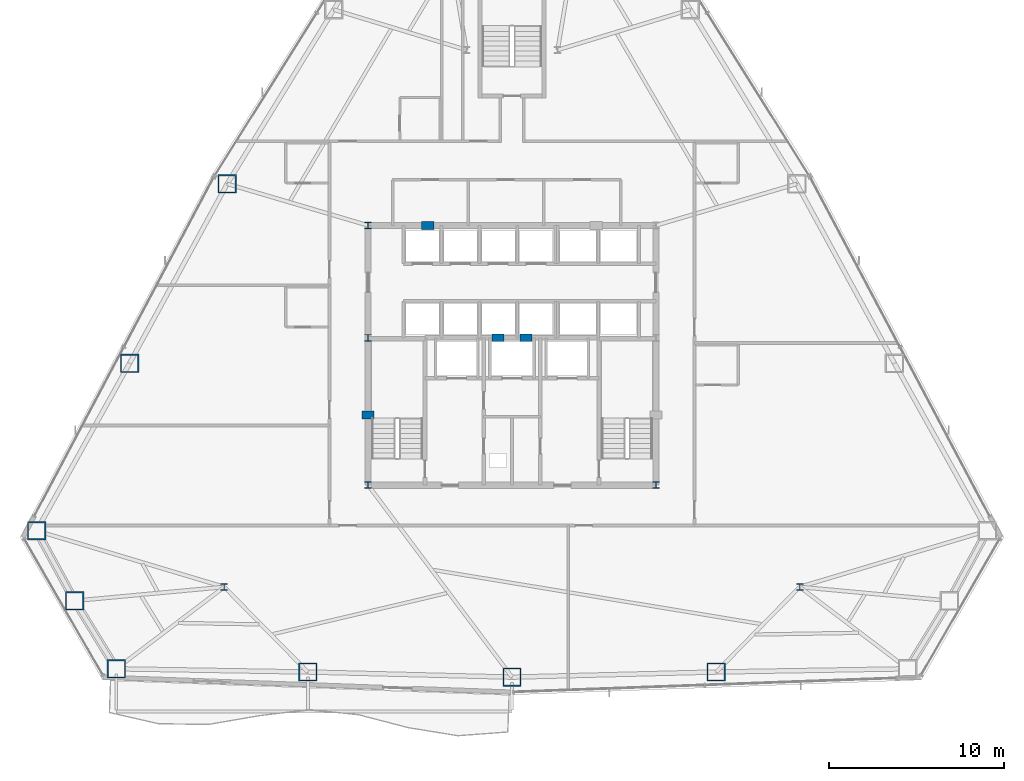
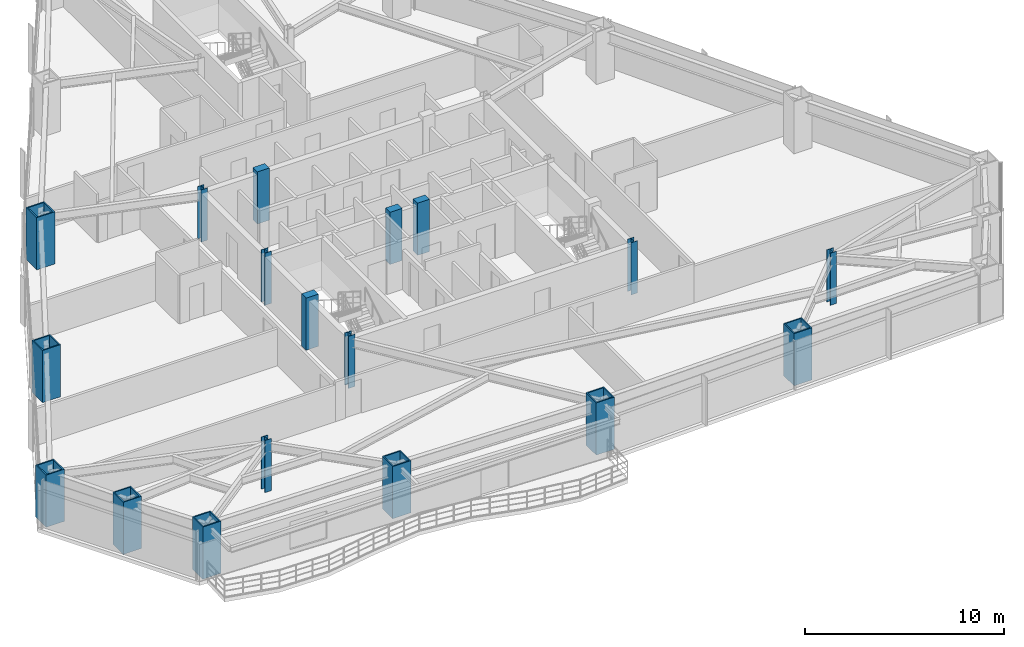
# One storey, part 1 of 13: 18 columns.
"""IFC4 building model written with IfcOpenShell, lengths in metres."""

from ifc_helpers import new_model, si_unit, direction, frame, origin, origin_2d, place, context, subcontext, project, spatial, rectangle, hollow_rectangle, i_section, extrude, material, material_profile, profile_set, type_object, element, save


model = new_model("IFC4")

# Units and contexts
model_context = context("Model", 3, precision=1e-05, world=origin(), true_north=direction((0.0, 1.0)))
body_context = subcontext(model_context, "Body", "Model", "MODEL_VIEW")
ifc_project = project(units=[si_unit("LENGTHUNIT", "METRE"), si_unit("AREAUNIT", "SQUARE_METRE"), si_unit("VOLUMEUNIT", "CUBIC_METRE"), si_unit("PLANEANGLEUNIT", "RADIAN"), si_unit("MASSUNIT", "GRAM", prefix="KILO")], contexts=[model_context])

# Site, building, storey
site_placement = place(None, origin())
site = spatial("IfcSite", under=ifc_project, at=site_placement, CompositionType="ELEMENT")
building_placement = place(site_placement, origin())
building = spatial("IfcBuilding", under=site, at=building_placement, Name="Varakhsha Concourse Tower", CompositionType="ELEMENT")
storey_placement = place(building_placement, frame((0.0, 0.0, 92.60009765625)))
storey = spatial("IfcBuildingStorey", under=building, at=storey_placement, Name="L26", CompositionType="ELEMENT", Elevation=92.60009765625)

# Columns
ifc_material_1 = material(Name="Structural Steel ASTM A992 Grade 50", Category="steel")
ifc_material_profile_1 = material_profile(ifc_material_1, i_section(OverallWidth=0.3740234375, OverallDepth=0.3720703125, WebThickness=0.01611328125, FlangeThickness=0.02587890625, at=origin_2d()), Name="W14X132")
ifc_profile_set_1 = profile_set([ifc_material_profile_1], Name="Structural Steel ASTM A992 Grade 50")
column_type_1 = type_object("IfcColumnType", Name="CL-CORE-W14X132", PredefinedType="COLUMN", material=ifc_profile_set_1)
for number, where, z_axis, x_axis, name in (
    (1, (31.800048828125, 16.39990234375, 0.0), (0.0, 0.0, 1.0), (1.0, 0.0, 0.0), "L26 Core Column CC-SW"),
    (2, (48.199951171875, 16.39990234375, 0.0), (0.0, 0.0, 1.0), (1.0, 0.0, 0.0), "L26 Core Column CC-SE"),
    (3, (31.800048828125, 24.800048828125, 0.0), (0.0, 0.0, 1.0), (1.0, 0.0, 0.0), "L26 Core Column CC-MW"),
    (4, (31.800048828125, 31.199951171875, 0.0), (0.0, 0.0, 1.0), (1.0, 0.0, 0.0), "L26 Core Column CC-NW"),
    (5, (23.60009765625, 10.60009765625, 0.0), (0.0, 0.0, 1.0), (1.0, 0.0, 0.0), "L26 Core Column SS-W"),
    (6, (56.39990234375, 10.60009765625, 0.0), (0.0, 0.0, 1.0), (1.0, 0.0, 0.0), "L26 Core Column SS-E"),
):
    element("IfcColumn", number, at=place(storey_placement, frame(where, z_axis=z_axis, x_axis=x_axis)), inside=storey, type_object=column_type_1, Name=name, PredefinedType="COLUMN", context=body_context, shape_type="SweptSolid", body=[
        extrude(i_section(OverallWidth=0.3740234375, OverallDepth=0.3720703125, WebThickness=0.01611328125, FlangeThickness=0.02587890625, at=origin_2d()), origin(), (0.0, 0.0, 1.0), 3.199951171875),
    ])
ifc_material_2 = material(Name="Concrete fc 65 MPa", Category="concrete")
ifc_material_profile_2 = material_profile(ifc_material_2, rectangle(XDim=0.699951171875, YDim=0.449951171875, at=origin_2d()), Name="RC 700x450")
ifc_profile_set_2 = profile_set([ifc_material_profile_2], Name="Concrete fc 65 MPa")
column_type_2 = type_object("IfcColumnType", Name="CL-PIL-700X450", PredefinedType="PILASTER", material=ifc_profile_set_2)
for number, where, z_axis, x_axis, name in (
    (7, (31.800048828125, 20.39990234375, 0.0), (0.0, 0.0, 1.0), (1.0, 0.0, 0.0), "L26 Core Boundary Pilaster PIL-W1"),
    (8, (35.199951171875, 31.199951171875, 0.0), (0.0, 0.0, 1.0), (1.0, 0.0, 0.0), "L26 Core Boundary Pilaster PIL-N1"),
    (9, (39.199951171875, 24.800048828125, 0.0), (0.0, 0.0, 1.0), (1.0, 0.0, 0.0), "L26 Core Boundary Pilaster PIL-M1"),
    (10, (40.800048828125, 24.800048828125, 0.0), (0.0, 0.0, 1.0), (1.0, 0.0, 0.0), "L26 Core Boundary Pilaster PIL-M2"),
):
    element("IfcColumn", number, at=place(storey_placement, frame(where, z_axis=z_axis, x_axis=x_axis)), inside=storey, type_object=column_type_2, Name=name, PredefinedType="PILASTER", context=body_context, shape_type="SweptSolid", body=[
        extrude(rectangle(XDim=0.699951171875, YDim=0.449951171875, at=origin_2d()), origin(), (0.0, 0.0, 1.0), 3.199951171875),
    ])
ifc_material_3 = material(Name="Structural Steel ASTM A572 Grade 50", Category="steel")
ifc_material_profile_3 = material_profile(ifc_material_3, hollow_rectangle(XDim=1.050048828125, YDim=1.050048828125, WallThickness=0.070068359375, at=origin_2d()), Name="BOX 1050x1050x70")
ifc_profile_set_3 = profile_set([ifc_material_profile_3], Name="Structural Steel ASTM A572 Grade 50")
column_type_3 = type_object("IfcColumnType", Name="CL-TUBE-1050", PredefinedType="COLUMN", material=ifc_profile_set_3)
for number, where, z_axis, x_axis, name in (
    (11, (23.77197265625, 33.569091796875, 0.0), (0.0, 0.0, 1.0), (1.0, 0.0, 0.0), "L26 Framed-Tube Column TC05"),
    (12, (18.20751953125, 23.345947265625, 0.0), (0.0, 0.0, 1.0), (1.0, 0.0, 0.0), "L26 Framed-Tube Column TC06"),
    (13, (12.908935546875, 13.80322265625, 0.0), (0.0, 0.0, 1.0), (1.0, 0.0, 0.0), "L26 Framed-Tube Column TC07"),
    (14, (15.076416015625, 9.810302734375, 0.0), (0.0, 0.0, 1.0), (1.0, 0.0, 0.0), "L26 Framed-Tube Column TC08"),
    (15, (17.45068359375, 5.93701171875, 0.0), (0.0, 0.0, 1.0), (1.0, 0.0, 0.0), "L26 Framed-Tube Column TC09"),
    (16, (28.3642578125, 5.754150390625, 0.0), (0.0, 0.0, 1.0), (1.0, 0.0, 0.0), "L26 Framed-Tube Column TC10"),
    (17, (40.0, 5.46142578125, 0.0), (0.0, 0.0, 1.0), (1.0, 0.0, 0.0), "L26 Framed-Tube Column TC11"),
    (18, (51.6357421875, 5.754150390625, 0.0), (0.0, 0.0, 1.0), (1.0, 0.0, 0.0), "L26 Framed-Tube Column TC12"),
):
    element("IfcColumn", number, at=place(storey_placement, frame(where, z_axis=z_axis, x_axis=x_axis)), inside=storey, type_object=column_type_3, Name=name, PredefinedType="COLUMN", context=body_context, shape_type="SweptSolid", body=[
        extrude(hollow_rectangle(XDim=1.050048828125, YDim=1.050048828125, WallThickness=0.070068359375, at=origin_2d()), origin(), (0.0, 0.0, 1.0), 3.199951171875),
    ])

save(model, "model.ifc")
